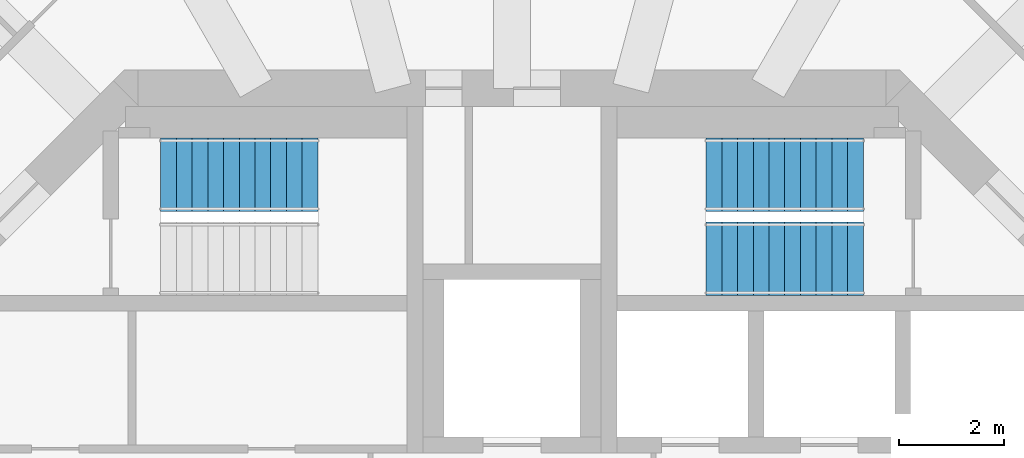
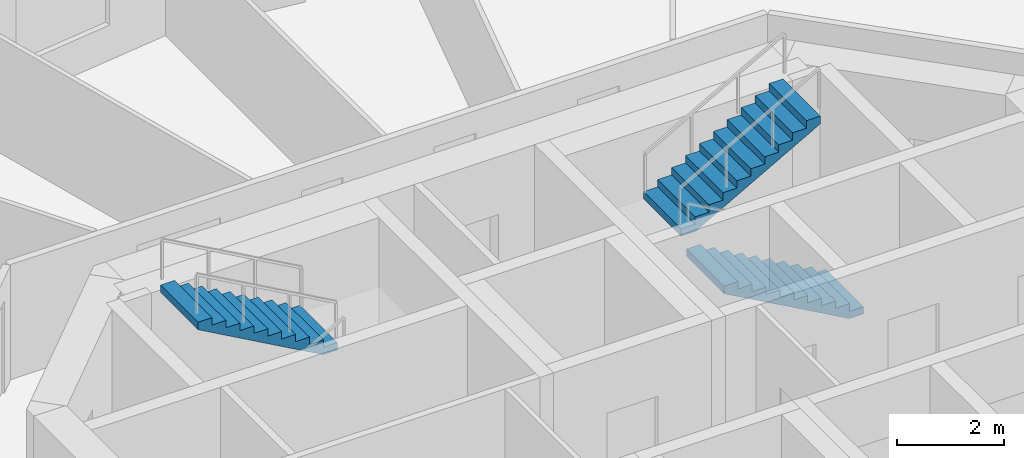
# One storey, part 7 of 9: 3 stair flights, 2 elements without a shape of their own.
"""IFC4 building model written with IfcOpenShell, lengths in metres."""

from ifc_helpers import new_model, si_unit, direction, frame, origin, place, context, subcontext, project, spatial, polyline, outline, extrude, material, type_object, element, aggregate, save


model = new_model("IFC4")

# Units and contexts
model_context = context("Model", 3, precision=1e-05, world=origin(), true_north=direction((0.0, 1.0)))
body_context = subcontext(model_context, "Body", "Model", "MODEL_VIEW")
ifc_project = project(units=[si_unit("LENGTHUNIT", "METRE"), si_unit("AREAUNIT", "SQUARE_METRE"), si_unit("VOLUMEUNIT", "CUBIC_METRE"), si_unit("PLANEANGLEUNIT", "RADIAN"), si_unit("MASSUNIT", "GRAM", prefix="KILO")], contexts=[model_context])

# Site, building, storey
site_placement = place(None, origin())
site = spatial("IfcSite", under=ifc_project, at=site_placement, CompositionType="ELEMENT")
building_placement = place(site_placement, origin())
building = spatial("IfcBuilding", under=site, at=building_placement, Name="Torre Triforio", CompositionType="ELEMENT")
storey_placement = place(building_placement, frame((0.0, 0.0, 176.39990234375)))
storey = spatial("IfcBuildingStorey", under=building, at=storey_placement, Name="L40", CompositionType="ELEMENT", Elevation=176.39990234375)

# Stair, stair flight
ifc_material = material(Name="Concrete C40", Category="concrete")
stair_type = type_object("IfcStairType", Name="STAIR HALF-TURN", PredefinedType="HALF_TURN_STAIR", material=ifc_material)
stair_1_placement = place(storey_placement, origin())
stair_1 = element("IfcStair", 1, at=stair_1_placement, inside=storey, type_object=stair_type, Name="Exit stair 1", PredefinedType="HALF_TURN_STAIR")
stair_flight_type = type_object("IfcStairFlightType", Name="STAIR FLIGHT 1400", PredefinedType="STRAIGHT", material=ifc_material)
stair_flight_1_placement = place(storey_placement, frame((-3.699951171875, 6.800048828125, 1.85009765625), z_axis=(0.0, 0.0, 1.0), x_axis=(-1.0, 0.0, 0.0)))
stair_flight_1 = element("IfcStairFlight", 2, at=stair_flight_1_placement, type_object=stair_flight_type, Name="ST1 flight 2", NumberOfRisers=11, NumberOfTreads=10, PredefinedType="STRAIGHT", RiserHeight=0.168181818, TreadLength=0.3, context=body_context, shape_type="SweptSolid", body=[
    extrude(outline(polyline([(0.0, 0.0), (0.0, 0.168212890625), (0.300048828125, 0.168212890625), (0.300048828125, 0.33642578125), (0.60009765625, 0.33642578125), (0.60009765625, 0.504638671875), (0.89990234375, 0.504638671875), (0.89990234375, 0.672607421875), (1.199951171875, 0.672607421875), (1.199951171875, 0.8408203125), (1.5, 0.8408203125), (1.5, 1.009033203125), (1.800048828125, 1.009033203125), (1.800048828125, 1.17724609375), (2.10009765625, 1.17724609375), (2.10009765625, 1.345458984375), (2.39990234375, 1.345458984375), (2.39990234375, 1.513671875), (2.699951171875, 1.513671875), (2.699951171875, 1.681884765625), (3.0, 1.681884765625), (3.0, 1.85009765625), (3.0, 1.510009765625), (0.306640625, 0.0), (0.0, 0.0)])), frame((0.0, 0.699951171875, 0.0), z_axis=(0.0, -1.0, 0.0), x_axis=(1.0, 0.0, 0.0)), (0.0, 0.0, 1.0), 1.39990234375),
])
aggregate(stair_1, [stair_flight_1])

# Stair, stair flights
stair_2_placement = place(storey_placement, origin())
stair_2 = element("IfcStair", 3, at=stair_2_placement, inside=storey, type_object=stair_type, Name="Exit stair 2", PredefinedType="HALF_TURN_STAIR")
stair_flight_2_placement = place(storey_placement, frame((6.699951171875, 5.199951171875, 0.0), z_axis=(0.0, 0.0, 1.0), x_axis=(-1.0, 0.0, 0.0)))
stair_flight_2 = element("IfcStairFlight", 4, at=stair_flight_2_placement, type_object=stair_flight_type, Name="ST2 flight 1", NumberOfRisers=11, NumberOfTreads=10, PredefinedType="STRAIGHT", RiserHeight=0.168181818, TreadLength=0.3, context=body_context, shape_type="SweptSolid", body=[
    extrude(outline(polyline([(0.0, 0.0), (0.0, 0.168212890625), (0.300048828125, 0.168212890625), (0.300048828125, 0.33642578125), (0.60009765625, 0.33642578125), (0.60009765625, 0.504638671875), (0.89990234375, 0.504638671875), (0.89990234375, 0.672607421875), (1.199951171875, 0.672607421875), (1.199951171875, 0.8408203125), (1.5, 0.8408203125), (1.5, 1.009033203125), (1.800048828125, 1.009033203125), (1.800048828125, 1.17724609375), (2.10009765625, 1.17724609375), (2.10009765625, 1.345458984375), (2.39990234375, 1.345458984375), (2.39990234375, 1.513671875), (2.699951171875, 1.513671875), (2.699951171875, 1.681884765625), (3.0, 1.681884765625), (3.0, 1.85009765625), (3.0, 1.510009765625), (0.306640625, 0.0), (0.0, 0.0)])), frame((0.0, 0.699951171875, 0.0), z_axis=(0.0, -1.0, 0.0), x_axis=(1.0, 0.0, 0.0)), (0.0, 0.0, 1.0), 1.39990234375),
])
stair_flight_3_placement = place(storey_placement, frame((3.699951171875, 6.800048828125, 1.85009765625), z_axis=(0.0, 0.0, 1.0), x_axis=(1.0, 0.0, 0.0)))
stair_flight_3 = element("IfcStairFlight", 5, at=stair_flight_3_placement, type_object=stair_flight_type, Name="ST2 flight 2", NumberOfRisers=11, NumberOfTreads=10, PredefinedType="STRAIGHT", RiserHeight=0.168181818, TreadLength=0.3, context=body_context, shape_type="SweptSolid", body=[
    extrude(outline(polyline([(0.0, 0.0), (0.0, 0.168212890625), (0.300048828125, 0.168212890625), (0.300048828125, 0.33642578125), (0.60009765625, 0.33642578125), (0.60009765625, 0.504638671875), (0.89990234375, 0.504638671875), (0.89990234375, 0.672607421875), (1.199951171875, 0.672607421875), (1.199951171875, 0.8408203125), (1.5, 0.8408203125), (1.5, 1.009033203125), (1.800048828125, 1.009033203125), (1.800048828125, 1.17724609375), (2.10009765625, 1.17724609375), (2.10009765625, 1.345458984375), (2.39990234375, 1.345458984375), (2.39990234375, 1.513671875), (2.699951171875, 1.513671875), (2.699951171875, 1.681884765625), (3.0, 1.681884765625), (3.0, 1.85009765625), (3.0, 1.510009765625), (0.306640625, 0.0), (0.0, 0.0)])), frame((0.0, 0.699951171875, 0.0), z_axis=(0.0, -1.0, 0.0), x_axis=(1.0, 0.0, 0.0)), (0.0, 0.0, 1.0), 1.39990234375),
])
aggregate(stair_2, [stair_flight_2, stair_flight_3])

save(model, "model.ifc")
